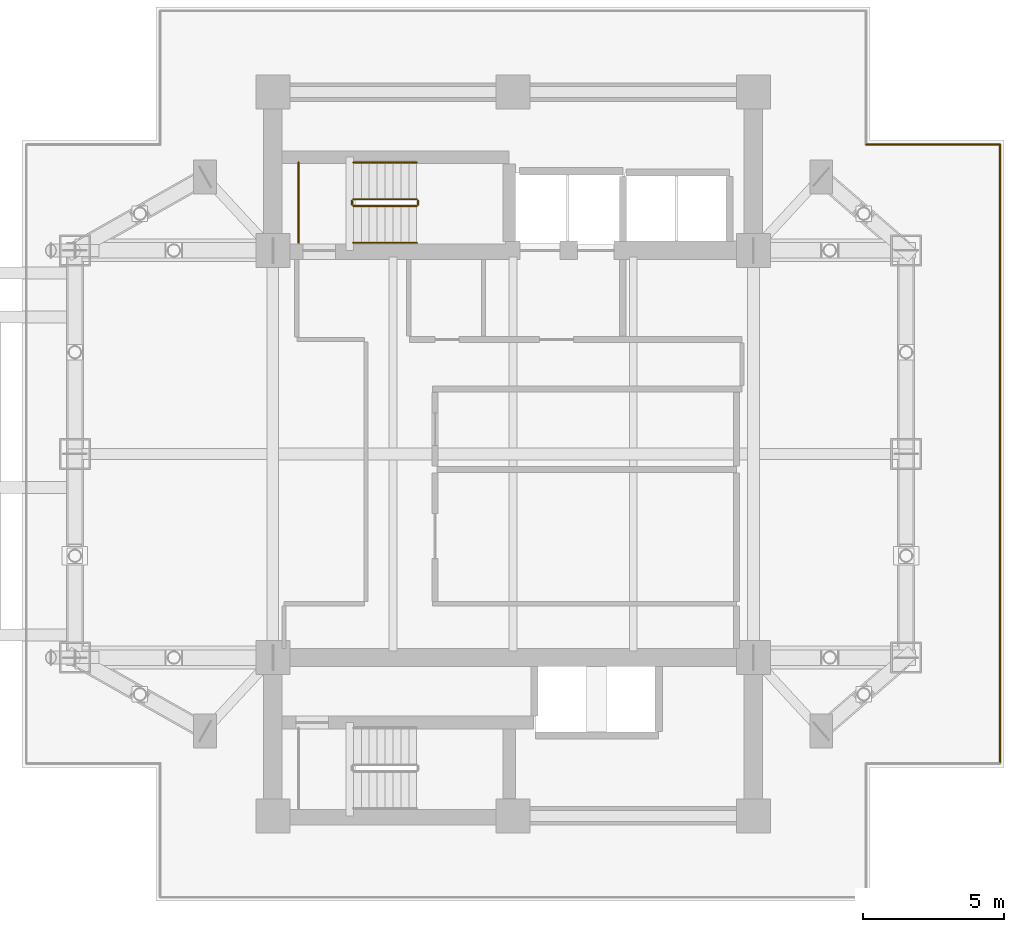
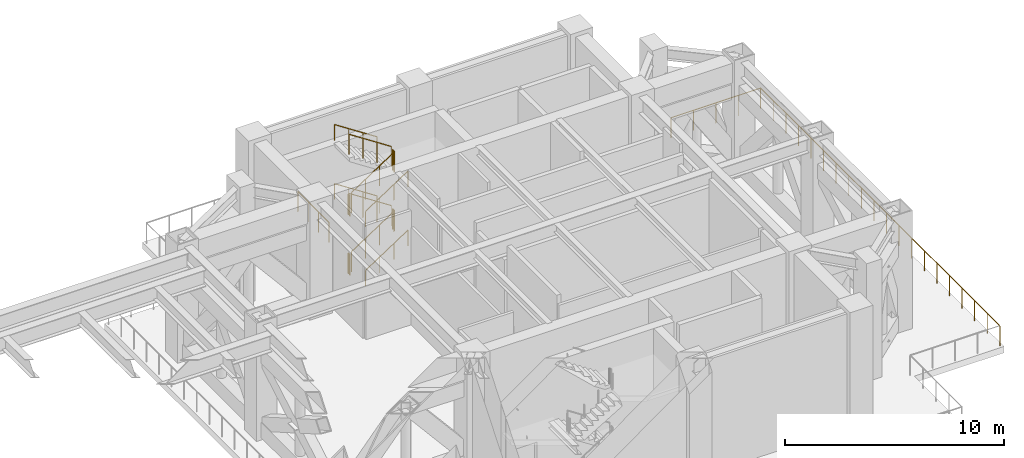
# One storey, part 20 of 21: 15 railings.
"""IFC4 building model written with IfcOpenShell, lengths in metres."""

from ifc_helpers import new_model, si_unit, direction, frame, origin, origin_2d, place, context, subcontext, project, spatial, circle, extrude, material, type_object, element, save


model = new_model("IFC4")

# Units and contexts
model_context = context("Model", 3, precision=1e-05, world=origin(), true_north=direction((0.0, 1.0)))
body_context = subcontext(model_context, "Body", "Model", "MODEL_VIEW")
ifc_project = project(units=[si_unit("LENGTHUNIT", "METRE"), si_unit("AREAUNIT", "SQUARE_METRE"), si_unit("VOLUMEUNIT", "CUBIC_METRE"), si_unit("PLANEANGLEUNIT", "RADIAN"), si_unit("MASSUNIT", "GRAM", prefix="KILO")], contexts=[model_context])

# Site, building, storey
site_placement = place(None, origin())
site = spatial("IfcSite", under=ifc_project, at=site_placement, CompositionType="ELEMENT")
building_placement = place(site_placement, origin())
building = spatial("IfcBuilding", under=site, at=building_placement, Name="Mirazonda Arch Towers", CompositionType="ELEMENT")
storey_placement = place(building_placement, frame((0.0, 0.0, 81.800048828125)))
storey = spatial("IfcBuildingStorey", under=building, at=storey_placement, Name="L23", CompositionType="ELEMENT", Elevation=81.800048828125)

# Railings
ifc_material = material(Name="Architectural Brushed Steel S355", Category="steel")
railing_type_1 = type_object("IfcRailingType", Name="GUARD-EXT-1150", PredefinedType="GUARDRAIL", material=ifc_material)
railing_1_placement = place(storey_placement, frame((93.722412109375, 17.058837890625, 0.0)))
element("IfcRailing", 1, at=railing_1_placement, inside=storey, type_object=railing_type_1, Name="L23 T2 Open Wind-Portal Perimeter Guard 04", PredefinedType="GUARDRAIL", context=body_context, shape_type="SweptSolid", body=[
    extrude(circle(Radius=0.02392578125, at=origin_2d()), frame((0.0, 0.0, 1.1259765625), z_axis=(0.0, 1.0, 0.0), x_axis=(-1.0, 0.0, 0.0)), (0.0, 0.0, 1.0), 21.88232421875),
    extrude(circle(Radius=0.02099609375, at=origin_2d()), origin(), (0.0, 0.0, 1.0), 1.101806640625),
    extrude(circle(Radius=0.02099609375, at=origin_2d()), frame((0.0, 1.151611328125, 0.0)), (0.0, 0.0, 1.0), 1.101806640625),
    extrude(circle(Radius=0.02099609375, at=origin_2d()), frame((0.0, 2.303466796875, 0.0)), (0.0, 0.0, 1.0), 1.101806640625),
    extrude(circle(Radius=0.02099609375, at=origin_2d()), frame((0.0, 3.455078125, 0.0)), (0.0, 0.0, 1.0), 1.101806640625),
    extrude(circle(Radius=0.02099609375, at=origin_2d()), frame((0.0, 4.606689453125, 0.0)), (0.0, 0.0, 1.0), 1.101806640625),
    extrude(circle(Radius=0.02099609375, at=origin_2d()), frame((0.0, 5.758544921875, 0.0)), (0.0, 0.0, 1.0), 1.101806640625),
    extrude(circle(Radius=0.02099609375, at=origin_2d()), frame((0.0, 6.91015625, 0.0)), (0.0, 0.0, 1.0), 1.101806640625),
    extrude(circle(Radius=0.02099609375, at=origin_2d()), frame((0.0, 8.06201171875, 0.0)), (0.0, 0.0, 1.0), 1.101806640625),
    extrude(circle(Radius=0.02099609375, at=origin_2d()), frame((0.0, 9.213623046875, 0.0)), (0.0, 0.0, 1.0), 1.101806640625),
    extrude(circle(Radius=0.02099609375, at=origin_2d()), frame((0.0, 10.365234375, 0.0)), (0.0, 0.0, 1.0), 1.101806640625),
    extrude(circle(Radius=0.02099609375, at=origin_2d()), frame((0.0, 11.51708984375, 0.0)), (0.0, 0.0, 1.0), 1.101806640625),
    extrude(circle(Radius=0.02099609375, at=origin_2d()), frame((0.0, 12.668701171875, 0.0)), (0.0, 0.0, 1.0), 1.101806640625),
    extrude(circle(Radius=0.02099609375, at=origin_2d()), frame((0.0, 13.8203125, 0.0)), (0.0, 0.0, 1.0), 1.101806640625),
    extrude(circle(Radius=0.02099609375, at=origin_2d()), frame((0.0, 14.97216796875, 0.0)), (0.0, 0.0, 1.0), 1.101806640625),
    extrude(circle(Radius=0.02099609375, at=origin_2d()), frame((0.0, 16.123779296875, 0.0)), (0.0, 0.0, 1.0), 1.101806640625),
    extrude(circle(Radius=0.02099609375, at=origin_2d()), frame((0.0, 17.275634765625, 0.0)), (0.0, 0.0, 1.0), 1.101806640625),
    extrude(circle(Radius=0.02099609375, at=origin_2d()), frame((0.0, 18.42724609375, 0.0)), (0.0, 0.0, 1.0), 1.101806640625),
    extrude(circle(Radius=0.02099609375, at=origin_2d()), frame((0.0, 19.578857421875, 0.0)), (0.0, 0.0, 1.0), 1.101806640625),
    extrude(circle(Radius=0.02099609375, at=origin_2d()), frame((0.0, 20.730712890625, 0.0)), (0.0, 0.0, 1.0), 1.101806640625),
    extrude(circle(Radius=0.02099609375, at=origin_2d()), frame((0.0, 21.88232421875, 0.0)), (0.0, 0.0, 1.0), 1.101806640625),
])
railing_2_placement = place(storey_placement, frame((93.722412109375, 38.941162109375, 0.0)))
element("IfcRailing", 2, at=railing_2_placement, inside=storey, type_object=railing_type_1, Name="L23 T2 Open Wind-Portal Perimeter Guard 05", PredefinedType="GUARDRAIL", context=body_context, shape_type="SweptSolid", body=[
    extrude(circle(Radius=0.02392578125, at=origin_2d()), frame((0.0, 0.0, 1.1259765625), z_axis=(-1.0, 0.0, 0.0), x_axis=(0.0, -1.0, 0.0)), (0.0, 0.0, 1.0), 4.736328125),
    extrude(circle(Radius=0.02099609375, at=origin_2d()), origin(), (0.0, 0.0, 1.0), 1.101806640625),
    extrude(circle(Radius=0.02099609375, at=origin_2d()), frame((-1.18408203125, 0.0, 0.0)), (0.0, 0.0, 1.0), 1.101806640625),
    extrude(circle(Radius=0.02099609375, at=origin_2d()), frame((-2.3681640625, 0.0, 0.0)), (0.0, 0.0, 1.0), 1.101806640625),
    extrude(circle(Radius=0.02099609375, at=origin_2d()), frame((-3.55224609375, 0.0, 0.0)), (0.0, 0.0, 1.0), 1.101806640625),
    extrude(circle(Radius=0.02099609375, at=origin_2d()), frame((-4.736328125, 0.0, 0.0)), (0.0, 0.0, 1.0), 1.101806640625),
])
railing_type_2 = type_object("IfcRailingType", Name="GUARD-STAIR-1120", PredefinedType="GUARDRAIL", material=ifc_material)
railing_3_placement = place(storey_placement, frame((70.85009765625, 36.77001953125, 0.183349609375)))
element("IfcRailing", 3, at=railing_3_placement, inside=storey, type_object=railing_type_2, Name="L23 ST-T2N stair guard 1", PredefinedType="GUARDRAIL", context=body_context, shape_type="SweptSolid", body=[
    extrude(circle(Radius=0.02392578125, at=origin_2d()), frame((0.0, 0.0, 1.1259765625), z_axis=(0.836636935527, 0.0, 0.547757827979), x_axis=(0.0, 1.0, 0.0)), (0.0, 0.0, 1.0), 2.677490234375),
    extrude(circle(Radius=0.02099609375, at=origin_2d()), origin(), (0.0, 0.0, 1.0), 1.101806640625),
    extrude(circle(Radius=0.02099609375, at=origin_2d()), frame((0.74658203125, 0.0, 0.48876953125)), (0.0, 0.0, 1.0), 1.101806640625),
    extrude(circle(Radius=0.02099609375, at=origin_2d()), frame((1.493408203125, 0.0, 0.977783203125)), (0.0, 0.0, 1.0), 1.101806640625),
    extrude(circle(Radius=0.02099609375, at=origin_2d()), frame((2.239990234375, 0.0, 1.466552734375)), (0.0, 0.0, 1.0), 1.101806640625),
])
railing_4_placement = place(storey_placement, frame((73.139892578125, 36.820068359375, 1.64990234375)))
element("IfcRailing", 4, at=railing_4_placement, inside=storey, type_object=railing_type_2, Name="L23 ST-T2N stair guard 2", PredefinedType="GUARDRAIL", context=body_context, shape_type="SweptSolid", body=[
    extrude(circle(Radius=0.02392578125, at=origin_2d()), frame((0.0, 0.0, 1.1259765625), z_axis=(0.0, 1.0, 0.0), x_axis=(-1.0, 0.0, 0.0)), (0.0, 0.0, 1.0), 0.139892578125),
    extrude(circle(Radius=0.02099609375, at=origin_2d()), origin(), (0.0, 0.0, 1.0), 1.101806640625),
    extrude(circle(Radius=0.02099609375, at=origin_2d()), frame((0.0, 0.139892578125, 0.0)), (0.0, 0.0, 1.0), 1.101806640625),
])
railing_5_placement = place(storey_placement, frame((73.090087890625, 37.010009765625, 1.833251953125)))
element("IfcRailing", 5, at=railing_5_placement, inside=storey, type_object=railing_type_2, Name="L23 ST-T2N stair guard 3", PredefinedType="GUARDRAIL", context=body_context, shape_type="SweptSolid", body=[
    extrude(circle(Radius=0.02392578125, at=origin_2d()), frame((0.0, 0.0, 1.1259765625), z_axis=(-0.836595146698, 0.0, 0.547821650285), x_axis=(0.0, -1.0, 0.0)), (0.0, 0.0, 1.0), 2.677490234375),
    extrude(circle(Radius=0.02099609375, at=origin_2d()), origin(), (0.0, 0.0, 1.0), 1.101806640625),
    extrude(circle(Radius=0.02099609375, at=origin_2d()), frame((-0.74658203125, 0.0, 0.489013671875)), (0.0, 0.0, 1.0), 1.101806640625),
    extrude(circle(Radius=0.02099609375, at=origin_2d()), frame((-1.493408203125, 0.0, 0.977783203125)), (0.0, 0.0, 1.0), 1.101806640625),
    extrude(circle(Radius=0.02099609375, at=origin_2d()), frame((-2.239990234375, 0.0, 1.466796875)), (0.0, 0.0, 1.0), 1.101806640625),
])
railing_6_placement = place(storey_placement, frame((70.800048828125, 36.820068359375, 3.300048828125)))
element("IfcRailing", 6, at=railing_6_placement, inside=storey, type_object=railing_type_2, Name="L23 ST-T2N stair guard 4", PredefinedType="GUARDRAIL", context=body_context, shape_type="SweptSolid", body=[
    extrude(circle(Radius=0.02392578125, at=origin_2d()), frame((0.0, 0.0, 1.1259765625), z_axis=(0.0, 1.0, 0.0), x_axis=(-1.0, 0.0, 0.0)), (0.0, 0.0, 1.0), 0.139892578125),
    extrude(circle(Radius=0.02099609375, at=origin_2d()), origin(), (0.0, 0.0, 1.0), 1.101806640625),
    extrude(circle(Radius=0.02099609375, at=origin_2d()), frame((0.0, 0.139892578125, 0.0)), (0.0, 0.0, 1.0), 1.101806640625),
])
railing_7_placement = place(storey_placement, frame((70.85009765625, 36.77001953125, 3.4833984375)))
element("IfcRailing", 7, at=railing_7_placement, inside=storey, type_object=railing_type_2, Name="L23 ST-T2N stair guard 5", PredefinedType="GUARDRAIL", context=body_context, shape_type="SweptSolid", body=[
    extrude(circle(Radius=0.02392578125, at=origin_2d()), frame((0.0, 0.0, 1.1259765625), z_axis=(0.836636935527, 0.0, 0.547757827979), x_axis=(0.0, 1.0, 0.0)), (0.0, 0.0, 1.0), 2.677490234375),
    extrude(circle(Radius=0.02099609375, at=origin_2d()), origin(), (0.0, 0.0, 1.0), 1.101806640625),
    extrude(circle(Radius=0.02099609375, at=origin_2d()), frame((0.74658203125, 0.0, 0.48876953125)), (0.0, 0.0, 1.0), 1.101806640625),
    extrude(circle(Radius=0.02099609375, at=origin_2d()), frame((1.493408203125, 0.0, 0.977783203125)), (0.0, 0.0, 1.0), 1.101806640625),
    extrude(circle(Radius=0.02099609375, at=origin_2d()), frame((2.239990234375, 0.0, 1.466552734375)), (0.0, 0.0, 1.0), 1.101806640625),
])
railing_8_placement = place(storey_placement, frame((73.139892578125, 36.820068359375, 4.949951171875)))
element("IfcRailing", 8, at=railing_8_placement, inside=storey, type_object=railing_type_2, Name="L23 ST-T2N stair guard 6", PredefinedType="GUARDRAIL", context=body_context, shape_type="SweptSolid", body=[
    extrude(circle(Radius=0.02392578125, at=origin_2d()), frame((0.0, 0.0, 1.1259765625), z_axis=(0.0, 1.0, 0.0), x_axis=(-1.0, 0.0, 0.0)), (0.0, 0.0, 1.0), 0.139892578125),
    extrude(circle(Radius=0.02099609375, at=origin_2d()), origin(), (0.0, 0.0, 1.0), 1.101806640625),
    extrude(circle(Radius=0.02099609375, at=origin_2d()), frame((0.0, 0.139892578125, 0.0)), (0.0, 0.0, 1.0), 1.101806640625),
])
railing_9_placement = place(storey_placement, frame((73.090087890625, 37.010009765625, 5.13330078125)))
element("IfcRailing", 9, at=railing_9_placement, inside=storey, type_object=railing_type_2, Name="L23 ST-T2N stair guard 7", PredefinedType="GUARDRAIL", context=body_context, shape_type="SweptSolid", body=[
    extrude(circle(Radius=0.02392578125, at=origin_2d()), frame((0.0, 0.0, 1.1259765625), z_axis=(-0.836636935527, 0.0, 0.547757827979), x_axis=(0.0, -1.0, 0.0)), (0.0, 0.0, 1.0), 2.677490234375),
    extrude(circle(Radius=0.02099609375, at=origin_2d()), origin(), (0.0, 0.0, 1.0), 1.101806640625),
    extrude(circle(Radius=0.02099609375, at=origin_2d()), frame((-0.74658203125, 0.0, 0.48876953125)), (0.0, 0.0, 1.0), 1.101806640625),
    extrude(circle(Radius=0.02099609375, at=origin_2d()), frame((-1.493408203125, 0.0, 0.977783203125)), (0.0, 0.0, 1.0), 1.101806640625),
    extrude(circle(Radius=0.02099609375, at=origin_2d()), frame((-2.239990234375, 0.0, 1.466552734375)), (0.0, 0.0, 1.0), 1.101806640625),
])
railing_10_placement = place(storey_placement, frame((70.800048828125, 36.820068359375, 0.0)))
element("IfcRailing", 10, at=railing_10_placement, inside=storey, type_object=railing_type_2, Name="L23 ST-T2N stair guard 8", PredefinedType="GUARDRAIL", context=body_context, shape_type="SweptSolid", body=[
    extrude(circle(Radius=0.02392578125, at=origin_2d()), frame((0.0, 0.0, 1.1259765625), z_axis=(0.0, 1.0, 0.0), x_axis=(-1.0, 0.0, 0.0)), (0.0, 0.0, 1.0), 0.139892578125),
    extrude(circle(Radius=0.02099609375, at=origin_2d()), origin(), (0.0, 0.0, 1.0), 1.101806640625),
    extrude(circle(Radius=0.02099609375, at=origin_2d()), frame((0.0, 0.139892578125, 0.0)), (0.0, 0.0, 1.0), 1.101806640625),
])
railing_11_placement = place(storey_placement, frame((68.909912109375, 35.469970703125, 3.300048828125)))
element("IfcRailing", 11, at=railing_11_placement, inside=storey, type_object=railing_type_2, Name="L23 ST-T2N stair guard 9", PredefinedType="GUARDRAIL", context=body_context, shape_type="SweptSolid", body=[
    extrude(circle(Radius=0.02392578125, at=origin_2d()), frame((0.0, 0.0, 1.1259765625), z_axis=(0.0, 1.0, 0.0), x_axis=(-1.0, 0.0, 0.0)), (0.0, 0.0, 1.0), 2.840087890625),
    extrude(circle(Radius=0.02099609375, at=origin_2d()), origin(), (0.0, 0.0, 1.0), 1.101806640625),
    extrude(circle(Radius=0.02099609375, at=origin_2d()), frame((0.0, 0.94677734375, 0.0)), (0.0, 0.0, 1.0), 1.101806640625),
    extrude(circle(Radius=0.02099609375, at=origin_2d()), frame((0.0, 1.893310546875, 0.0)), (0.0, 0.0, 1.0), 1.101806640625),
    extrude(circle(Radius=0.02099609375, at=origin_2d()), frame((0.0, 2.840087890625, 0.0)), (0.0, 0.0, 1.0), 1.101806640625),
])
railing_type_3 = type_object("IfcRailingType", Name="HANDRAIL-915", PredefinedType="HANDRAIL", material=ifc_material)
railing_12_placement = place(storey_placement, frame((70.85009765625, 35.469970703125, 0.183349609375)))
element("IfcRailing", 12, at=railing_12_placement, inside=storey, type_object=railing_type_3, Name="L23 ST-T2N stair handrail 1", PredefinedType="HANDRAIL", context=body_context, shape_type="SweptSolid", body=[
    extrude(circle(Radius=0.02392578125, at=origin_2d()), frame((0.0, 0.0, 0.8759765625), z_axis=(0.836636935527, 0.0, 0.547757827979), x_axis=(0.0, 1.0, 0.0)), (0.0, 0.0, 1.0), 2.677490234375),
    extrude(circle(Radius=0.02099609375, at=origin_2d()), origin(), (0.0, 0.0, 1.0), 0.851806640625),
    extrude(circle(Radius=0.02099609375, at=origin_2d()), frame((0.74658203125, 0.0, 0.48876953125)), (0.0, 0.0, 1.0), 0.851806640625),
    extrude(circle(Radius=0.02099609375, at=origin_2d()), frame((1.493408203125, 0.0, 0.977783203125)), (0.0, 0.0, 1.0), 0.851806640625),
    extrude(circle(Radius=0.02099609375, at=origin_2d()), frame((2.239990234375, 0.0, 1.466552734375)), (0.0, 0.0, 1.0), 0.851806640625),
])
railing_13_placement = place(storey_placement, frame((73.090087890625, 38.31005859375, 1.833251953125)))
element("IfcRailing", 13, at=railing_13_placement, inside=storey, type_object=railing_type_3, Name="L23 ST-T2N stair handrail 2", PredefinedType="HANDRAIL", context=body_context, shape_type="SweptSolid", body=[
    extrude(circle(Radius=0.02392578125, at=origin_2d()), frame((0.0, 0.0, 0.8759765625), z_axis=(-0.836595146698, 0.0, 0.547821650285), x_axis=(0.0, -1.0, 0.0)), (0.0, 0.0, 1.0), 2.677490234375),
    extrude(circle(Radius=0.02099609375, at=origin_2d()), origin(), (0.0, 0.0, 1.0), 0.851806640625),
    extrude(circle(Radius=0.02099609375, at=origin_2d()), frame((-0.74658203125, 0.0, 0.489013671875)), (0.0, 0.0, 1.0), 0.851806640625),
    extrude(circle(Radius=0.02099609375, at=origin_2d()), frame((-1.493408203125, 0.0, 0.977783203125)), (0.0, 0.0, 1.0), 0.851806640625),
    extrude(circle(Radius=0.02099609375, at=origin_2d()), frame((-2.239990234375, 0.0, 1.466796875)), (0.0, 0.0, 1.0), 0.851806640625),
])
railing_14_placement = place(storey_placement, frame((70.85009765625, 35.469970703125, 3.4833984375)))
element("IfcRailing", 14, at=railing_14_placement, inside=storey, type_object=railing_type_3, Name="L23 ST-T2N stair handrail 3", PredefinedType="HANDRAIL", context=body_context, shape_type="SweptSolid", body=[
    extrude(circle(Radius=0.02392578125, at=origin_2d()), frame((0.0, 0.0, 0.8759765625), z_axis=(0.836636935527, 0.0, 0.547757827979), x_axis=(0.0, 1.0, 0.0)), (0.0, 0.0, 1.0), 2.677490234375),
    extrude(circle(Radius=0.02099609375, at=origin_2d()), origin(), (0.0, 0.0, 1.0), 0.851806640625),
    extrude(circle(Radius=0.02099609375, at=origin_2d()), frame((0.74658203125, 0.0, 0.48876953125)), (0.0, 0.0, 1.0), 0.851806640625),
    extrude(circle(Radius=0.02099609375, at=origin_2d()), frame((1.493408203125, 0.0, 0.977783203125)), (0.0, 0.0, 1.0), 0.851806640625),
    extrude(circle(Radius=0.02099609375, at=origin_2d()), frame((2.239990234375, 0.0, 1.466552734375)), (0.0, 0.0, 1.0), 0.851806640625),
])
railing_15_placement = place(storey_placement, frame((73.090087890625, 38.31005859375, 5.13330078125)))
element("IfcRailing", 15, at=railing_15_placement, inside=storey, type_object=railing_type_3, Name="L23 ST-T2N stair handrail 4", PredefinedType="HANDRAIL", context=body_context, shape_type="SweptSolid", body=[
    extrude(circle(Radius=0.02392578125, at=origin_2d()), frame((0.0, 0.0, 0.8759765625), z_axis=(-0.836636935527, 0.0, 0.547757827979), x_axis=(0.0, -1.0, 0.0)), (0.0, 0.0, 1.0), 2.677490234375),
    extrude(circle(Radius=0.02099609375, at=origin_2d()), origin(), (0.0, 0.0, 1.0), 0.851806640625),
    extrude(circle(Radius=0.02099609375, at=origin_2d()), frame((-0.74658203125, 0.0, 0.48876953125)), (0.0, 0.0, 1.0), 0.851806640625),
    extrude(circle(Radius=0.02099609375, at=origin_2d()), frame((-1.493408203125, 0.0, 0.977783203125)), (0.0, 0.0, 1.0), 0.851806640625),
    extrude(circle(Radius=0.02099609375, at=origin_2d()), frame((-2.239990234375, 0.0, 1.466552734375)), (0.0, 0.0, 1.0), 0.851806640625),
])

save(model, "model.ifc")
